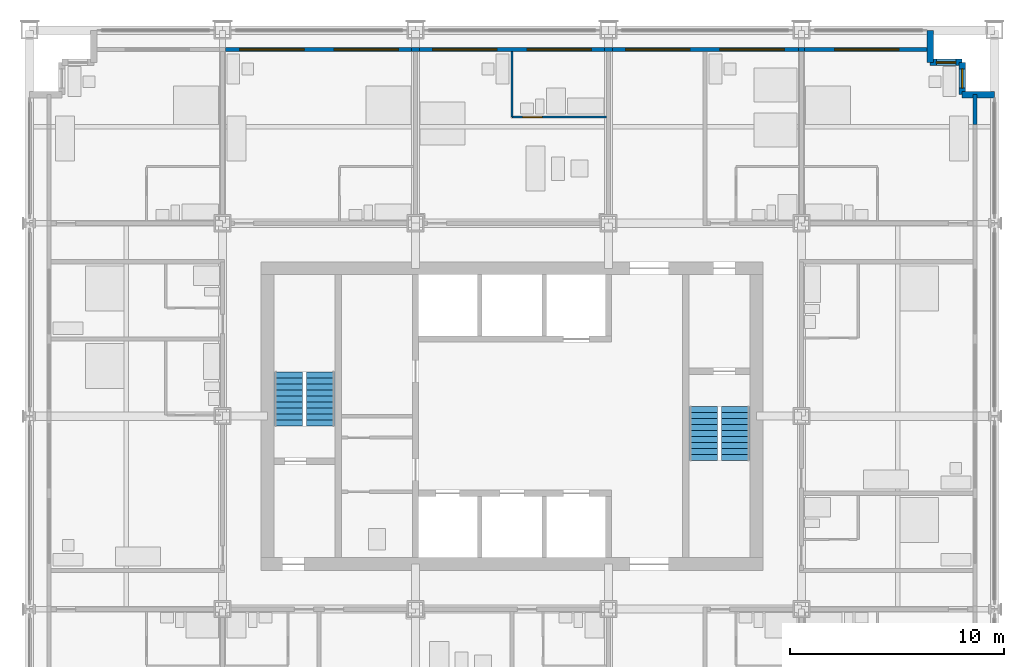
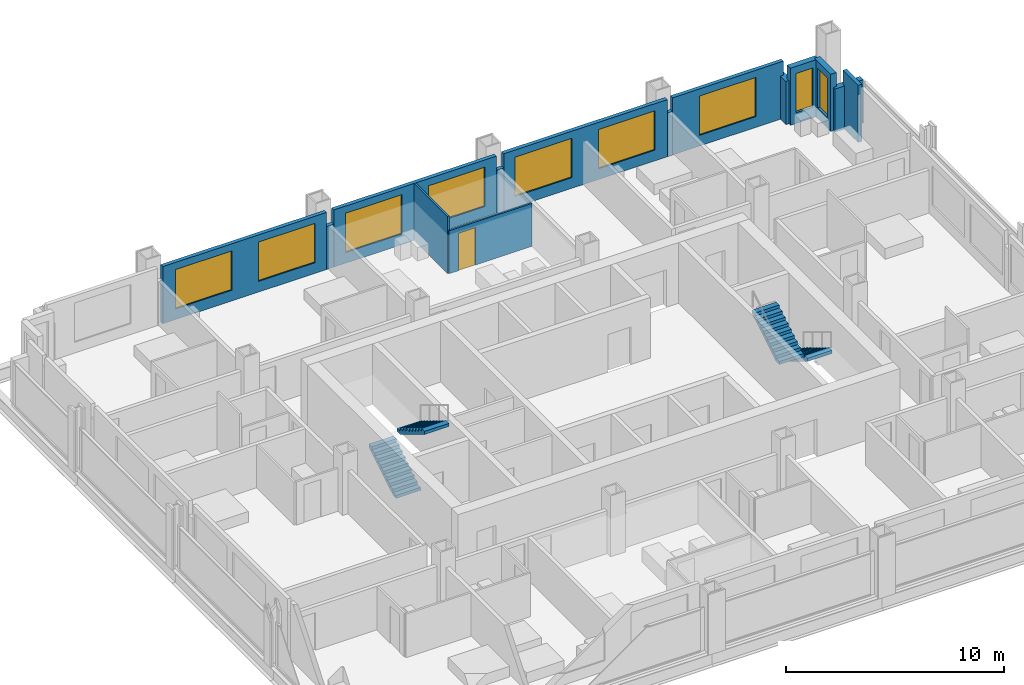
# One storey, part 13 of 16: 14 walls, 9 windows, 4 stair flights, 1 door, 10 openings, 2 elements without a shape of their own.
"""IFC4 building model written with IfcOpenShell, lengths in metres."""

from ifc_helpers import new_model, si_unit, direction, frame, frame_2d, origin, place, context, subcontext, project, spatial, polyline, rectangle, outline, extrude, material, layer, layer_set, type_object, element, fill, aggregate, save


model = new_model("IFC4")

# Units and contexts
model_context = context("Model", 3, precision=1e-05, world=origin(), true_north=direction((0.0, 1.0)))
body_context = subcontext(model_context, "Body", "Model", "MODEL_VIEW")
ifc_project = project(units=[si_unit("LENGTHUNIT", "METRE"), si_unit("AREAUNIT", "SQUARE_METRE"), si_unit("VOLUMEUNIT", "CUBIC_METRE"), si_unit("PLANEANGLEUNIT", "RADIAN"), si_unit("MASSUNIT", "GRAM", prefix="KILO")], contexts=[model_context])

# Site, building, storey
site_placement = place(None, origin())
site = spatial("IfcSite", under=ifc_project, at=site_placement, CompositionType="ELEMENT")
building_placement = place(site_placement, origin())
building = spatial("IfcBuilding", under=site, at=building_placement, Name="Loomwork Tower", CompositionType="ELEMENT")
storey_placement = place(building_placement, frame((0.0, 0.0, 121.39990234375)))
storey = spatial("IfcBuildingStorey", under=building, at=storey_placement, Name="L32", CompositionType="ELEMENT", Elevation=121.39990234375)

# Wall, opening, door
ifc_material_1 = material(Name="Cement board on steel studs", Category="steel")
ifc_layer_1 = layer(ifc_material_1, 0.10009765625)
ifc_layer_set_1 = layer_set([ifc_layer_1], Name="En-suite partition 100")
wall_type_1 = type_object("IfcWallType", Name="En-suite partition 100", PredefinedType="PARTITIONING", material=ifc_layer_set_1)
wall_1_placement = place(storey_placement, frame((22.5, 31.949951171875, 0.0), z_axis=(0.0, 0.0, 1.0), x_axis=(1.0, 0.0, 0.0)))
wall_1 = element("IfcWall", 1, at=wall_1_placement, inside=storey, type_object=wall_type_1, Name="Spa bathroom wall L32 room 9", PredefinedType="PARTITIONING", context=body_context, shape_type="SweptSolid", body=[
    extrude(rectangle(XDim=4.39990234375, YDim=0.10009765625, at=frame_2d((2.199951171875, 0.0))), origin(), (0.0, 0.0, 1.0), 2.404052734375),
])
opening_1_placement = place(wall_1_placement, frame((0.5, 0.0, 0.0)))
opening_1 = element("IfcOpeningElement", 2, at=opening_1_placement, cuts=wall_1, Name="Opening D2", PredefinedType="OPENING", context=body_context, shape_type="SweptSolid", body=[
    extrude(rectangle(XDim=0.89990234375, YDim=2.10009765625, at=frame_2d((0.449951171875, 1.050048828125))), frame((0.0, 0.06005859375, 0.0), z_axis=(0.0, -1.0, 0.0), x_axis=(1.0, 0.0, 0.0)), (0.0, 0.0, 1.0), 0.1201171875),
])
ifc_material_2 = material(Name="Hollow metal door and frame")
door_type = type_object("IfcDoorType", Name="En-suite door 900", OperationType="SINGLE_SWING_LEFT", PredefinedType="DOOR", material=ifc_material_2)
door_placement = place(opening_1_placement, origin())
door = element("IfcDoor", 3, at=door_placement, inside=storey, type_object=door_type, Name="Spa bathroom door room 9", OperationType="SINGLE_SWING_LEFT", OverallHeight=2.10009765625, OverallWidth=0.89990234375, PredefinedType="DOOR", context=body_context, shape_type="SweptSolid", body=[
    extrude(rectangle(XDim=0.89990234375, YDim=2.10009765625, at=frame_2d((0.449951171875, 1.050048828125))), frame((0.0, 0.02490234375, 0.0), z_axis=(0.0, -1.0, 0.0), x_axis=(1.0, 0.0, 0.0)), (0.0, 0.0, 1.0), 0.050048828125),
])
fill(opening_1, door)

# Wall
wall_2_placement = place(storey_placement, frame((22.5, 31.949951171875, 0.0), z_axis=(0.0, 0.0, 1.0), x_axis=(0.0, 1.0, 0.0)))
element("IfcWall", 4, at=wall_2_placement, inside=storey, type_object=wall_type_1, Name="Spa bathroom side wall L32 room 9", PredefinedType="PARTITIONING", context=body_context, shape_type="SweptSolid", body=[
    extrude(rectangle(XDim=3.050048828125, YDim=0.10009765625, at=frame_2d((1.52490234375, 0.0))), origin(), (0.0, 0.0, 1.0), 3.2001953125),
])

# Wall, openings, windows
ifc_material_3 = material(Name="Insulated steel stud wall with gypsum lining", Category="steel")
ifc_layer_2 = layer(ifc_material_3, 0.199951171875)
ifc_layer_set_2 = layer_set([ifc_layer_2], Name="Inner skin wall 200")
wall_type_2 = type_object("IfcWallType", Name="Inner skin wall 200", PredefinedType="SOLIDWALL", material=ifc_layer_set_2)
wall_3_placement = place(storey_placement, frame((9.13525390625, 35.10009765625, 0.0), z_axis=(0.0, 0.0, 1.0), x_axis=(1.0, 0.0, 0.0)))
wall_3 = element("IfcWall", 5, at=wall_3_placement, inside=storey, type_object=wall_type_2, Name="Inner skin wall N bay 3", PredefinedType="SOLIDWALL", context=body_context, shape_type="SweptSolid", body=[
    extrude(rectangle(XDim=8.6708984375, YDim=0.199951171875, at=frame_2d((4.33544921875, 0.0))), origin(), (0.0, 0.0, 1.0), 3.2001953125),
])
opening_2_placement = place(wall_3_placement, frame((0.664794921875, 0.0, 0.60009765625)))
opening_2 = element("IfcOpeningElement", 6, at=opening_2_placement, cuts=wall_3, Name="Opening CH1", PredefinedType="OPENING", context=body_context, shape_type="SweptSolid", body=[
    extrude(rectangle(XDim=3.0, YDim=2.199951171875, at=frame_2d((1.5, 1.10009765625))), frame((0.0, 0.10986328125, 0.0), z_axis=(0.0, -1.0, 0.0), x_axis=(1.0, 0.0, 0.0)), (0.0, 0.0, 1.0), 0.219970703125),
])
opening_3_placement = place(wall_3_placement, frame((5.064697265625, 0.0, 0.60009765625)))
opening_3 = element("IfcOpeningElement", 7, at=opening_3_placement, cuts=wall_3, Name="Opening CH1", PredefinedType="OPENING", context=body_context, shape_type="SweptSolid", body=[
    extrude(rectangle(XDim=3.0, YDim=2.199951171875, at=frame_2d((1.5, 1.10009765625))), frame((0.0, 0.10986328125, 0.0), z_axis=(0.0, -1.0, 0.0), x_axis=(1.0, 0.0, 0.0)), (0.0, 0.0, 1.0), 0.219970703125),
])
ifc_material_4 = material(Name="Aluminium frame with clear insulated glass", Category="aluminium")
window_type_1 = type_object("IfcWindowType", Name="Chicago window 3000", PartitioningType="TRIPLE_PANEL_VERTICAL", PredefinedType="WINDOW", material=ifc_material_4)
window_1_placement = place(opening_2_placement, origin())
window_1 = element("IfcWindow", 8, at=window_1_placement, inside=storey, type_object=window_type_1, Name="Chicago window L32 bay 7", OverallHeight=2.199951171875, OverallWidth=3.0, PartitioningType="TRIPLE_PANEL_VERTICAL", PredefinedType="WINDOW", context=body_context, shape_type="SweptSolid", body=[
    extrude(rectangle(XDim=3.0, YDim=2.199951171875, at=frame_2d((1.5, 1.10009765625))), frame((0.0, 0.030029296875, 0.0), z_axis=(0.0, -1.0, 0.0), x_axis=(1.0, 0.0, 0.0)), (0.0, 0.0, 1.0), 0.06005859375),
])
fill(opening_2, window_1)
window_2_placement = place(opening_3_placement, origin())
window_2 = element("IfcWindow", 9, at=window_2_placement, inside=storey, type_object=window_type_1, Name="Chicago window L32 bay 7", OverallHeight=2.199951171875, OverallWidth=3.0, PartitioningType="TRIPLE_PANEL_VERTICAL", PredefinedType="WINDOW", context=body_context, shape_type="SweptSolid", body=[
    extrude(rectangle(XDim=3.0, YDim=2.199951171875, at=frame_2d((1.5, 1.10009765625))), frame((0.0, 0.030029296875, 0.0), z_axis=(0.0, -1.0, 0.0), x_axis=(1.0, 0.0, 0.0)), (0.0, 0.0, 1.0), 0.06005859375),
])
fill(opening_3, window_2)

# Wall
wall_4_placement = place(storey_placement, frame((17.80615234375, 35.10009765625, 0.0), z_axis=(0.0, 0.0, 1.0), x_axis=(1.0, 0.0, 0.0)))
element("IfcWall", 10, at=wall_4_placement, inside=storey, type_object=wall_type_2, Name="Inner skin wall N bay 4", PredefinedType="SOLIDWALL", context=body_context, shape_type="SweptSolid", body=[
    extrude(rectangle(XDim=0.3876953125, YDim=0.199951171875, at=frame_2d((0.19384765625, 0.0))), origin(), (0.0, 0.0, 1.0), 2.404052734375),
])

# Wall, openings, windows
wall_5_placement = place(storey_placement, frame((18.19384765625, 35.10009765625, 0.0), z_axis=(0.0, 0.0, 1.0), x_axis=(1.0, 0.0, 0.0)))
wall_5 = element("IfcWall", 11, at=wall_5_placement, inside=storey, type_object=wall_type_2, Name="Inner skin wall N bay 5", PredefinedType="SOLIDWALL", context=body_context, shape_type="SweptSolid", body=[
    extrude(rectangle(XDim=8.6123046875, YDim=0.199951171875, at=frame_2d((4.30615234375, 0.0))), origin(), (0.0, 0.0, 1.0), 3.2001953125),
])
opening_4_placement = place(wall_5_placement, frame((0.606201171875, 0.0, 0.60009765625)))
opening_4 = element("IfcOpeningElement", 12, at=opening_4_placement, cuts=wall_5, Name="Opening CH1", PredefinedType="OPENING", context=body_context, shape_type="SweptSolid", body=[
    extrude(rectangle(XDim=3.0, YDim=2.199951171875, at=frame_2d((1.5, 1.10009765625))), frame((0.0, 0.10986328125, 0.0), z_axis=(0.0, -1.0, 0.0), x_axis=(1.0, 0.0, 0.0)), (0.0, 0.0, 1.0), 0.219970703125),
])
opening_5_placement = place(wall_5_placement, frame((5.006103515625, 0.0, 0.60009765625)))
opening_5 = element("IfcOpeningElement", 13, at=opening_5_placement, cuts=wall_5, Name="Opening CH1", PredefinedType="OPENING", context=body_context, shape_type="SweptSolid", body=[
    extrude(rectangle(XDim=3.0, YDim=2.199951171875, at=frame_2d((1.5, 1.10009765625))), frame((0.0, 0.10986328125, 0.0), z_axis=(0.0, -1.0, 0.0), x_axis=(1.0, 0.0, 0.0)), (0.0, 0.0, 1.0), 0.219970703125),
])
window_3_placement = place(opening_4_placement, origin())
window_3 = element("IfcWindow", 14, at=window_3_placement, inside=storey, type_object=window_type_1, Name="Chicago window L32 bay 8", OverallHeight=2.199951171875, OverallWidth=3.0, PartitioningType="TRIPLE_PANEL_VERTICAL", PredefinedType="WINDOW", context=body_context, shape_type="SweptSolid", body=[
    extrude(rectangle(XDim=3.0, YDim=2.199951171875, at=frame_2d((1.5, 1.10009765625))), frame((0.0, 0.030029296875, 0.0), z_axis=(0.0, -1.0, 0.0), x_axis=(1.0, 0.0, 0.0)), (0.0, 0.0, 1.0), 0.06005859375),
])
fill(opening_4, window_3)
window_4_placement = place(opening_5_placement, origin())
window_4 = element("IfcWindow", 15, at=window_4_placement, inside=storey, type_object=window_type_1, Name="Chicago window L32 bay 8", OverallHeight=2.199951171875, OverallWidth=3.0, PartitioningType="TRIPLE_PANEL_VERTICAL", PredefinedType="WINDOW", context=body_context, shape_type="SweptSolid", body=[
    extrude(rectangle(XDim=3.0, YDim=2.199951171875, at=frame_2d((1.5, 1.10009765625))), frame((0.0, 0.030029296875, 0.0), z_axis=(0.0, -1.0, 0.0), x_axis=(1.0, 0.0, 0.0)), (0.0, 0.0, 1.0), 0.06005859375),
])
fill(opening_5, window_4)

# Wall
wall_6_placement = place(storey_placement, frame((26.80615234375, 35.10009765625, 0.0), z_axis=(0.0, 0.0, 1.0), x_axis=(1.0, 0.0, 0.0)))
element("IfcWall", 16, at=wall_6_placement, inside=storey, type_object=wall_type_2, Name="Inner skin wall N bay 6", PredefinedType="SOLIDWALL", context=body_context, shape_type="SweptSolid", body=[
    extrude(rectangle(XDim=0.3876953125, YDim=0.199951171875, at=frame_2d((0.19384765625, 0.0))), origin(), (0.0, 0.0, 1.0), 2.404052734375),
])

# Wall, openings, windows
wall_7_placement = place(storey_placement, frame((27.19384765625, 35.10009765625, 0.0), z_axis=(0.0, 0.0, 1.0), x_axis=(1.0, 0.0, 0.0)))
wall_7 = element("IfcWall", 17, at=wall_7_placement, inside=storey, type_object=wall_type_2, Name="Inner skin wall N bay 7", PredefinedType="SOLIDWALL", context=body_context, shape_type="SweptSolid", body=[
    extrude(rectangle(XDim=8.670654296875, YDim=0.199951171875, at=frame_2d((4.33544921875, 0.0))), origin(), (0.0, 0.0, 1.0), 3.2001953125),
])
opening_6_placement = place(wall_7_placement, frame((0.606201171875, 0.0, 0.60009765625)))
opening_6 = element("IfcOpeningElement", 18, at=opening_6_placement, cuts=wall_7, Name="Opening CH1", PredefinedType="OPENING", context=body_context, shape_type="SweptSolid", body=[
    extrude(rectangle(XDim=3.0, YDim=2.199951171875, at=frame_2d((1.5, 1.10009765625))), frame((0.0, 0.10986328125, 0.0), z_axis=(0.0, -1.0, 0.0), x_axis=(1.0, 0.0, 0.0)), (0.0, 0.0, 1.0), 0.219970703125),
])
opening_7_placement = place(wall_7_placement, frame((5.006103515625, 0.0, 0.60009765625)))
opening_7 = element("IfcOpeningElement", 19, at=opening_7_placement, cuts=wall_7, Name="Opening CH1", PredefinedType="OPENING", context=body_context, shape_type="SweptSolid", body=[
    extrude(rectangle(XDim=3.0, YDim=2.199951171875, at=frame_2d((1.5, 1.10009765625))), frame((0.0, 0.10986328125, 0.0), z_axis=(0.0, -1.0, 0.0), x_axis=(1.0, 0.0, 0.0)), (0.0, 0.0, 1.0), 0.219970703125),
])
window_5_placement = place(opening_6_placement, origin())
window_5 = element("IfcWindow", 20, at=window_5_placement, inside=storey, type_object=window_type_1, Name="Chicago window L32 bay 9", OverallHeight=2.199951171875, OverallWidth=3.0, PartitioningType="TRIPLE_PANEL_VERTICAL", PredefinedType="WINDOW", context=body_context, shape_type="SweptSolid", body=[
    extrude(rectangle(XDim=3.0, YDim=2.199951171875, at=frame_2d((1.5, 1.10009765625))), frame((0.0, 0.030029296875, 0.0), z_axis=(0.0, -1.0, 0.0), x_axis=(1.0, 0.0, 0.0)), (0.0, 0.0, 1.0), 0.06005859375),
])
fill(opening_6, window_5)
window_6_placement = place(opening_7_placement, origin())
window_6 = element("IfcWindow", 21, at=window_6_placement, inside=storey, type_object=window_type_1, Name="Chicago window L32 bay 9", OverallHeight=2.199951171875, OverallWidth=3.0, PartitioningType="TRIPLE_PANEL_VERTICAL", PredefinedType="WINDOW", context=body_context, shape_type="SweptSolid", body=[
    extrude(rectangle(XDim=3.0, YDim=2.199951171875, at=frame_2d((1.5, 1.10009765625))), frame((0.0, 0.030029296875, 0.0), z_axis=(0.0, -1.0, 0.0), x_axis=(1.0, 0.0, 0.0)), (0.0, 0.0, 1.0), 0.06005859375),
])
fill(opening_7, window_6)

# Wall
wall_8_placement = place(storey_placement, frame((35.864501953125, 35.10009765625, 0.0), z_axis=(0.0, 0.0, 1.0), x_axis=(1.0, 0.0, 0.0)))
element("IfcWall", 22, at=wall_8_placement, inside=storey, type_object=wall_type_2, Name="Inner skin wall N bay 8", PredefinedType="SOLIDWALL", context=body_context, shape_type="SweptSolid", body=[
    extrude(rectangle(XDim=0.27099609375, YDim=0.199951171875, at=frame_2d((0.135498046875, 0.0))), origin(), (0.0, 0.0, 1.0), 2.43798828125),
])

# Wall, opening, window
wall_9_placement = place(storey_placement, frame((36.135498046875, 35.10009765625, 0.0), z_axis=(0.0, 0.0, 1.0), x_axis=(1.0, 0.0, 0.0)))
wall_9 = element("IfcWall", 23, at=wall_9_placement, inside=storey, type_object=wall_type_2, Name="Inner skin wall N bay 9", PredefinedType="SOLIDWALL", context=body_context, shape_type="SweptSolid", body=[
    extrude(rectangle(XDim=5.864501953125, YDim=0.199951171875, at=frame_2d((2.93212890625, 0.0))), origin(), (0.0, 0.0, 1.0), 3.2001953125),
])
opening_8_placement = place(wall_9_placement, frame((1.41455078125, 0.0, 0.60009765625)))
opening_8 = element("IfcOpeningElement", 24, at=opening_8_placement, cuts=wall_9, Name="Opening CH1", PredefinedType="OPENING", context=body_context, shape_type="SweptSolid", body=[
    extrude(rectangle(XDim=3.0, YDim=2.199951171875, at=frame_2d((1.5, 1.10009765625))), frame((0.0, 0.10986328125, 0.0), z_axis=(0.0, -1.0, 0.0), x_axis=(1.0, 0.0, 0.0)), (0.0, 0.0, 1.0), 0.219970703125),
])
window_7_placement = place(opening_8_placement, origin())
window_7 = element("IfcWindow", 25, at=window_7_placement, inside=storey, type_object=window_type_1, Name="Chicago window L32 bay 10", OverallHeight=2.199951171875, OverallWidth=3.0, PartitioningType="TRIPLE_PANEL_VERTICAL", PredefinedType="WINDOW", context=body_context, shape_type="SweptSolid", body=[
    extrude(rectangle(XDim=3.0, YDim=2.199951171875, at=frame_2d((1.5, 1.10009765625))), frame((0.0, 0.030029296875, 0.0), z_axis=(0.0, -1.0, 0.0), x_axis=(1.0, 0.0, 0.0)), (0.0, 0.0, 1.0), 0.06005859375),
])
fill(opening_8, window_7)

# Walls
wall_10_placement = place(storey_placement, frame((44.10009765625, 31.607421875, 0.0), z_axis=(0.0, 0.0, 1.0), x_axis=(0.0, 1.0, 0.0)))
element("IfcWall", 26, at=wall_10_placement, inside=storey, type_object=wall_type_2, Name="Inner skin wall E bay 11", PredefinedType="SOLIDWALL", context=body_context, shape_type="SweptSolid", body=[
    extrude(rectangle(XDim=1.392578125, YDim=0.199951171875, at=frame_2d((0.6962890625, 0.0))), origin(), (0.0, 0.0, 1.0), 3.2001953125),
])
ifc_material_5 = material(Name="Limestone on concrete masonry", Category="masonry")
ifc_layer_3 = layer(ifc_material_5, 0.300048828125)
ifc_layer_set_3 = layer_set([ifc_layer_3], Name="Limestone corner wall 300")
wall_type_3 = type_object("IfcWallType", Name="Limestone corner wall 300", PredefinedType="SOLIDWALL", material=ifc_layer_set_3)
wall_11_placement = place(storey_placement, frame((45.0, 33.0, 0.0), z_axis=(0.0, 0.0, 1.0), x_axis=(-1.0, 0.0, 0.0)))
element("IfcWall", 27, at=wall_11_placement, inside=storey, type_object=wall_type_3, Name="Stone corner wall NE 1", PredefinedType="SOLIDWALL", context=body_context, shape_type="SweptSolid", body=[
    extrude(rectangle(XDim=1.5, YDim=0.300048828125, at=frame_2d((0.75, 0.0))), origin(), (0.0, 0.0, 1.0), 2.420166015625),
])

# Wall, opening, window
wall_12_placement = place(storey_placement, frame((43.5, 33.0, 0.0), z_axis=(0.0, 0.0, 1.0), x_axis=(0.0, 1.0, 0.0)))
wall_12 = element("IfcWall", 28, at=wall_12_placement, inside=storey, type_object=wall_type_3, Name="Stone corner wall NE 2", PredefinedType="SOLIDWALL", context=body_context, shape_type="SweptSolid", body=[
    extrude(rectangle(XDim=1.5, YDim=0.300048828125, at=frame_2d((0.75, 0.0))), origin(), (0.0, 0.0, 1.0), 3.2001953125),
])
opening_9_placement = place(wall_12_placement, frame((0.300048828125, 0.0, 0.60009765625)))
opening_9 = element("IfcOpeningElement", 29, at=opening_9_placement, cuts=wall_12, Name="Opening CH2", PredefinedType="OPENING", context=body_context, shape_type="SweptSolid", body=[
    extrude(rectangle(XDim=0.89990234375, YDim=2.199951171875, at=frame_2d((0.449951171875, 1.10009765625))), frame((0.0, 0.159912109375, 0.0), z_axis=(0.0, -1.0, 0.0), x_axis=(1.0, 0.0, 0.0)), (0.0, 0.0, 1.0), 0.320068359375),
])
ifc_material_6 = material(Name="Aluminium frame with clear insulated glass", Category="aluminium")
window_type_2 = type_object("IfcWindowType", Name="Corner window 900", PartitioningType="SINGLE_PANEL", PredefinedType="WINDOW", material=ifc_material_6)
window_8_placement = place(opening_9_placement, origin())
window_8 = element("IfcWindow", 30, at=window_8_placement, inside=storey, type_object=window_type_2, Name="Corner window NE", OverallHeight=2.199951171875, OverallWidth=0.89990234375, PartitioningType="SINGLE_PANEL", PredefinedType="WINDOW", context=body_context, shape_type="SweptSolid", body=[
    extrude(rectangle(XDim=0.89990234375, YDim=2.199951171875, at=frame_2d((0.449951171875, 1.10009765625))), frame((0.0, 0.030029296875, 0.0), z_axis=(0.0, -1.0, 0.0), x_axis=(1.0, 0.0, 0.0)), (0.0, 0.0, 1.0), 0.06005859375),
])
fill(opening_9, window_8)

wall_13_placement = place(storey_placement, frame((43.5, 34.5, 0.0), z_axis=(0.0, 0.0, 1.0), x_axis=(-1.0, 0.0, 0.0)))
wall_13 = element("IfcWall", 31, at=wall_13_placement, inside=storey, type_object=wall_type_3, Name="Stone corner wall NE 3", PredefinedType="SOLIDWALL", context=body_context, shape_type="SweptSolid", body=[
    extrude(rectangle(XDim=1.5, YDim=0.300048828125, at=frame_2d((0.75, 0.0))), origin(), (0.0, 0.0, 1.0), 3.2001953125),
])
opening_10_placement = place(wall_13_placement, frame((0.300048828125, 0.0, 0.60009765625)))
opening_10 = element("IfcOpeningElement", 32, at=opening_10_placement, cuts=wall_13, Name="Opening CH2", PredefinedType="OPENING", context=body_context, shape_type="SweptSolid", body=[
    extrude(rectangle(XDim=0.89990234375, YDim=2.199951171875, at=frame_2d((0.449951171875, 1.10009765625))), frame((0.0, 0.159912109375, 0.0), z_axis=(0.0, -1.0, 0.0), x_axis=(1.0, 0.0, 0.0)), (0.0, 0.0, 1.0), 0.320068359375),
])
window_9_placement = place(opening_10_placement, origin())
window_9 = element("IfcWindow", 33, at=window_9_placement, inside=storey, type_object=window_type_2, Name="Corner window NE", OverallHeight=2.199951171875, OverallWidth=0.89990234375, PartitioningType="SINGLE_PANEL", PredefinedType="WINDOW", context=body_context, shape_type="SweptSolid", body=[
    extrude(rectangle(XDim=0.89990234375, YDim=2.199951171875, at=frame_2d((0.449951171875, 1.10009765625))), frame((0.0, 0.030029296875, 0.0), z_axis=(0.0, -1.0, 0.0), x_axis=(1.0, 0.0, 0.0)), (0.0, 0.0, 1.0), 0.06005859375),
])
fill(opening_10, window_9)

# Wall
wall_14_placement = place(storey_placement, frame((42.0, 34.5, 0.0), z_axis=(0.0, 0.0, 1.0), x_axis=(0.0, 1.0, 0.0)))
element("IfcWall", 34, at=wall_14_placement, inside=storey, type_object=wall_type_3, Name="Stone corner wall NE 4", PredefinedType="SOLIDWALL", context=body_context, shape_type="SweptSolid", body=[
    extrude(rectangle(XDim=1.5, YDim=0.300048828125, at=frame_2d((0.75, 0.0))), origin(), (0.0, 0.0, 1.0), 2.420166015625),
])

# Stair, stair flights
ifc_material_7 = material(Name="Concrete 5000 psi (34 MPa) precast stair", Category="concrete")
stair_type_1 = type_object("IfcStairType", Name="Stair ST-A 20 risers 2850 wide", PredefinedType="HALF_TURN_STAIR", material=ifc_material_7)
stair_1_placement = place(storey_placement, origin())
stair_1 = element("IfcStair", 35, at=stair_1_placement, inside=storey, type_object=stair_type_1, Name="Stair A L32", PredefinedType="HALF_TURN_STAIR")
ifc_material_8 = material(Name="Concrete 5000 psi (34 MPa) precast stair", Category="concrete")
stair_flight_type_1 = type_object("IfcStairFlightType", Name="Stair flight ST-A 10 risers 1300 wide", PredefinedType="STRAIGHT", material=ifc_material_8)
stair_flight_1_placement = place(storey_placement, frame((12.074951171875, 17.550048828125, 0.0), z_axis=(0.0, 0.0, 1.0), x_axis=(0.0, 1.0, 0.0)))
stair_flight_1 = element("IfcStairFlight", 36, at=stair_flight_1_placement, type_object=stair_flight_type_1, Name="ST-A flight 1", NumberOfRisers=10, NumberOfTreads=9, PredefinedType="STRAIGHT", RiserHeight=0.17, TreadLength=0.28, context=body_context, shape_type="SweptSolid", body=[
    extrude(outline(polyline([(0.0, 0.0), (0.0, 0.169921875), (0.280029296875, 0.169921875), (0.280029296875, 0.340087890625), (0.56005859375, 0.340087890625), (0.56005859375, 0.510009765625), (0.840087890625, 0.510009765625), (0.840087890625, 0.679931640625), (1.1201171875, 0.679931640625), (1.1201171875, 0.85009765625), (1.39990234375, 0.85009765625), (1.39990234375, 1.02001953125), (1.679931640625, 1.02001953125), (1.679931640625, 1.18994140625), (1.9599609375, 1.18994140625), (1.9599609375, 1.360107421875), (2.239990234375, 1.360107421875), (2.239990234375, 1.530029296875), (2.52001953125, 1.530029296875), (2.52001953125, 1.699951171875), (2.52001953125, 1.354736328125), (0.288818359375, 0.0), (0.0, 0.0)])), frame((0.0, 0.64990234375, 0.0), z_axis=(0.0, -1.0, 0.0), x_axis=(1.0, 0.0, 0.0)), (0.0, 0.0, 1.0), 1.300048828125),
])
stair_flight_2_placement = place(storey_placement, frame((13.574951171875, 20.070068359375, 1.7001953125), z_axis=(0.0, 0.0, 1.0), x_axis=(0.0, -1.0, 0.0)))
stair_flight_2 = element("IfcStairFlight", 37, at=stair_flight_2_placement, type_object=stair_flight_type_1, Name="ST-A flight 2", NumberOfRisers=10, NumberOfTreads=9, PredefinedType="STRAIGHT", RiserHeight=0.17, TreadLength=0.28, context=body_context, shape_type="SweptSolid", body=[
    extrude(outline(polyline([(0.0, 0.0), (0.0, 0.169921875), (0.280029296875, 0.169921875), (0.280029296875, 0.340087890625), (0.56005859375, 0.340087890625), (0.56005859375, 0.510009765625), (0.840087890625, 0.510009765625), (0.840087890625, 0.679931640625), (1.1201171875, 0.679931640625), (1.1201171875, 0.85009765625), (1.39990234375, 0.85009765625), (1.39990234375, 1.02001953125), (1.679931640625, 1.02001953125), (1.679931640625, 1.18994140625), (1.9599609375, 1.18994140625), (1.9599609375, 1.360107421875), (2.239990234375, 1.360107421875), (2.239990234375, 1.530029296875), (2.52001953125, 1.530029296875), (2.52001953125, 1.699951171875), (2.52001953125, 1.354736328125), (0.288818359375, 0.0), (0.0, 0.0)])), frame((0.0, 0.64990234375, 0.0), z_axis=(0.0, -1.0, 0.0), x_axis=(1.0, 0.0, 0.0)), (0.0, 0.0, 1.0), 1.300048828125),
])
aggregate(stair_1, [stair_flight_1, stair_flight_2])

ifc_material_9 = material(Name="Concrete 5000 psi (34 MPa) precast stair", Category="concrete")
stair_type_2 = type_object("IfcStairType", Name="Stair ST-B 20 risers 2850 wide", PredefinedType="HALF_TURN_STAIR", material=ifc_material_9)
stair_2_placement = place(storey_placement, origin())
stair_2 = element("IfcStair", 38, at=stair_2_placement, inside=storey, type_object=stair_type_2, Name="Stair B L32", PredefinedType="HALF_TURN_STAIR")
ifc_material_10 = material(Name="Concrete 5000 psi (34 MPa) precast stair", Category="concrete")
stair_flight_type_2 = type_object("IfcStairFlightType", Name="Stair flight ST-B 10 risers 1300 wide", PredefinedType="STRAIGHT", material=ifc_material_10)
stair_flight_3_placement = place(storey_placement, frame((32.925048828125, 18.449951171875, 0.0), z_axis=(0.0, 0.0, 1.0), x_axis=(0.0, -1.0, 0.0)))
stair_flight_3 = element("IfcStairFlight", 39, at=stair_flight_3_placement, type_object=stair_flight_type_2, Name="ST-B flight 1", NumberOfRisers=10, NumberOfTreads=9, PredefinedType="STRAIGHT", RiserHeight=0.17, TreadLength=0.28, context=body_context, shape_type="SweptSolid", body=[
    extrude(outline(polyline([(0.0, 0.0), (0.0, 0.169921875), (0.280029296875, 0.169921875), (0.280029296875, 0.340087890625), (0.56005859375, 0.340087890625), (0.56005859375, 0.510009765625), (0.840087890625, 0.510009765625), (0.840087890625, 0.679931640625), (1.1201171875, 0.679931640625), (1.1201171875, 0.85009765625), (1.39990234375, 0.85009765625), (1.39990234375, 1.02001953125), (1.679931640625, 1.02001953125), (1.679931640625, 1.18994140625), (1.9599609375, 1.18994140625), (1.9599609375, 1.360107421875), (2.239990234375, 1.360107421875), (2.239990234375, 1.530029296875), (2.52001953125, 1.530029296875), (2.52001953125, 1.699951171875), (2.52001953125, 1.354736328125), (0.288818359375, 0.0), (0.0, 0.0)])), frame((0.0, 0.64990234375, 0.0), z_axis=(0.0, -1.0, 0.0), x_axis=(1.0, 0.0, 0.0)), (0.0, 0.0, 1.0), 1.300048828125),
])
stair_flight_4_placement = place(storey_placement, frame((31.425048828125, 15.929931640625, 1.7001953125), z_axis=(0.0, 0.0, 1.0), x_axis=(0.0, 1.0, 0.0)))
stair_flight_4 = element("IfcStairFlight", 40, at=stair_flight_4_placement, type_object=stair_flight_type_2, Name="ST-B flight 2", NumberOfRisers=10, NumberOfTreads=9, PredefinedType="STRAIGHT", RiserHeight=0.17, TreadLength=0.28, context=body_context, shape_type="SweptSolid", body=[
    extrude(outline(polyline([(0.0, 0.0), (0.0, 0.169921875), (0.280029296875, 0.169921875), (0.280029296875, 0.340087890625), (0.56005859375, 0.340087890625), (0.56005859375, 0.510009765625), (0.840087890625, 0.510009765625), (0.840087890625, 0.679931640625), (1.1201171875, 0.679931640625), (1.1201171875, 0.85009765625), (1.39990234375, 0.85009765625), (1.39990234375, 1.02001953125), (1.679931640625, 1.02001953125), (1.679931640625, 1.18994140625), (1.9599609375, 1.18994140625), (1.9599609375, 1.360107421875), (2.239990234375, 1.360107421875), (2.239990234375, 1.530029296875), (2.52001953125, 1.530029296875), (2.52001953125, 1.699951171875), (2.52001953125, 1.354736328125), (0.288818359375, 0.0), (0.0, 0.0)])), frame((0.0, 0.64990234375, 0.0), z_axis=(0.0, -1.0, 0.0), x_axis=(1.0, 0.0, 0.0)), (0.0, 0.0, 1.0), 1.300048828125),
])
aggregate(stair_2, [stair_flight_3, stair_flight_4])

save(model, "model.ifc")
